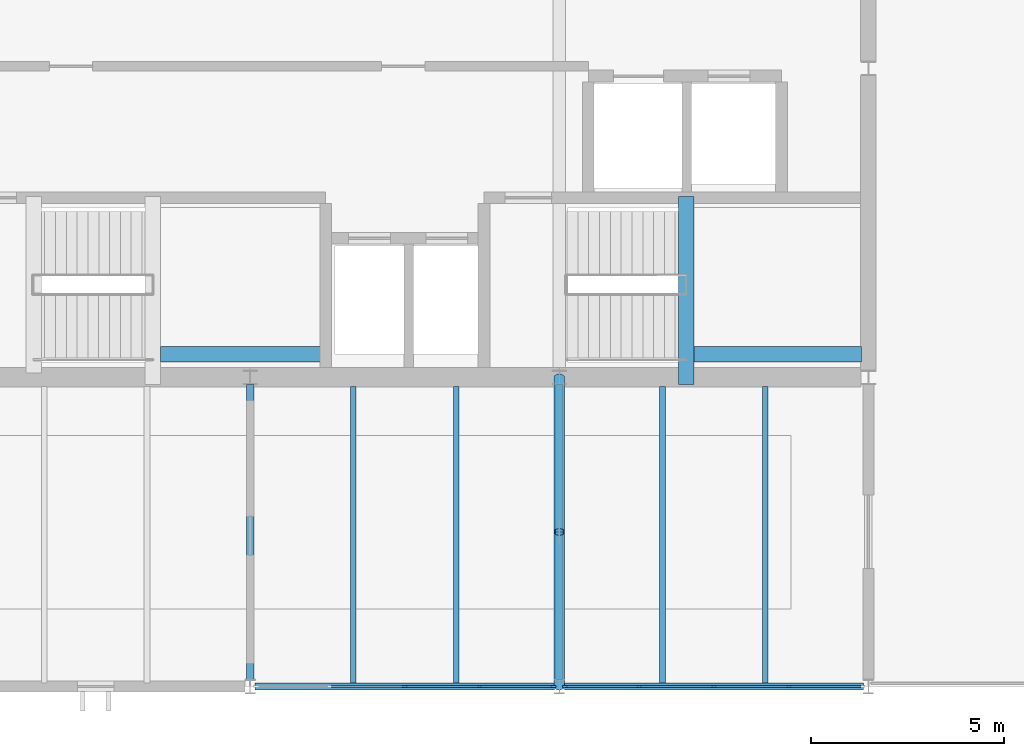
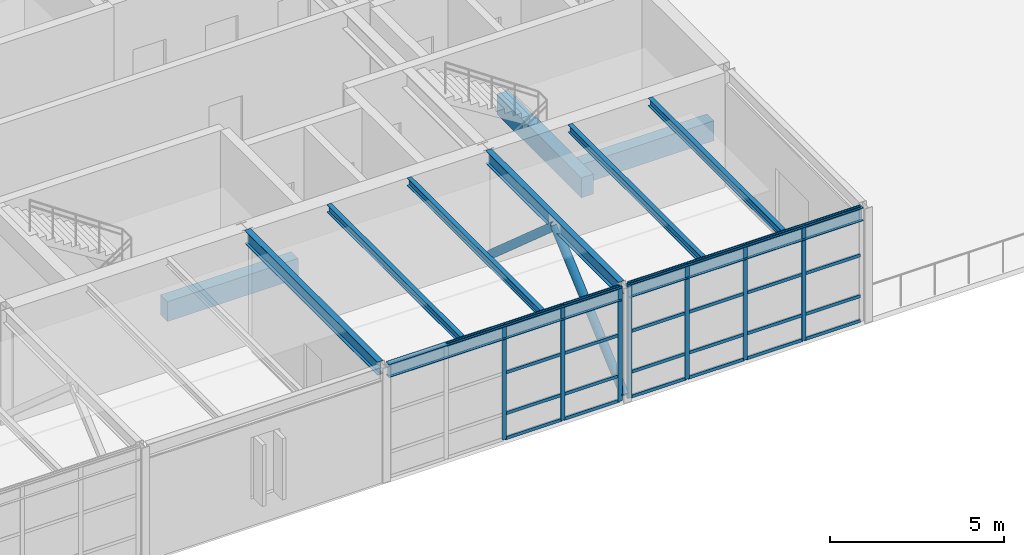
# One storey, part 6 of 21: 34 members, 11 beams, 2 elements without a shape of their own.
"""IFC4 building model written with IfcOpenShell, lengths in metres."""

from ifc_helpers import new_model, si_unit, direction, frame, origin, origin_2d, place, context, subcontext, project, spatial, rectangle, hollow_circle, i_section, extrude, material, layer, layer_set, material_profile, profile_set, type_object, element, aggregate, save


model = new_model("IFC4")

# Units and contexts
model_context = context("Model", 3, precision=1e-05, world=origin(), true_north=direction((0.0, 1.0)))
body_context = subcontext(model_context, "Body", "Model", "MODEL_VIEW")
ifc_project = project(units=[si_unit("LENGTHUNIT", "METRE"), si_unit("AREAUNIT", "SQUARE_METRE"), si_unit("VOLUMEUNIT", "CUBIC_METRE"), si_unit("PLANEANGLEUNIT", "RADIAN"), si_unit("MASSUNIT", "GRAM", prefix="KILO")], contexts=[model_context])

# Site, building, storey
site_placement = place(None, origin())
site = spatial("IfcSite", under=ifc_project, at=site_placement, CompositionType="ELEMENT")
building_placement = place(site_placement, origin())
building = spatial("IfcBuilding", under=site, at=building_placement, Name="Varnela Railside Interchange", CompositionType="ELEMENT")
storey_placement = place(building_placement, frame((0.0, 0.0, 23.800048828125)))
storey = spatial("IfcBuildingStorey", under=building, at=storey_placement, Name="L05", CompositionType="ELEMENT", Elevation=23.800048828125)

# Beams
ifc_material_1 = material(Name="Steel AR 350 (350 MPa)", Category="steel")
ifc_material_profile_1 = material_profile(ifc_material_1, i_section(OverallWidth=0.14794921875, OverallDepth=0.26611328125, WebThickness=0.007568359375, FlangeThickness=0.012939453125, at=origin_2d()), Name="W250x44.8")
ifc_profile_set_1 = profile_set([ifc_material_profile_1], Name="Steel AR 350 (350 MPa)")
beam_type_1 = type_object("IfcBeamType", Name="Composite Floor Joist J-05", PredefinedType="JOIST", material=ifc_profile_set_1)
for number, where, z_axis, x_axis, name in (
    (1, (22.669921875, 46.095947265625, 3.886962890625), (0.0, 1.0, 0.0), (-1.0, 0.0, 0.0), "Composite Floor Joist J-05 (L05) (BM-2562)"),
    (2, (25.330078125, 46.095947265625, 3.886962890625), (0.0, 1.0, 0.0), (-1.0, 0.0, 0.0), "Composite Floor Joist J-05 (L05) (BM-2563)"),
    (3, (30.669921875, 46.095947265625, 3.886962890625), (0.0, 1.0, 0.0), (-1.0, 0.0, 0.0), "Composite Floor Joist J-05 (L05) (BM-2570)"),
    (4, (33.330078125, 46.095947265625, 3.886962890625), (0.0, 1.0, 0.0), (-1.0, 0.0, 0.0), "Composite Floor Joist J-05 (L05) (BM-2571)"),
):
    element("IfcBeam", number, at=place(storey_placement, frame(where, z_axis=z_axis, x_axis=x_axis)), inside=storey, type_object=beam_type_1, Name=name, PredefinedType="JOIST", context=body_context, shape_type="SweptSolid", body=[
        extrude(i_section(OverallWidth=0.14794921875, OverallDepth=0.26611328125, WebThickness=0.007568359375, FlangeThickness=0.012939453125, at=origin_2d()), origin(), (0.0, 0.0, 1.0), 7.6640625),
    ])
ifc_material_2 = material(Name="Concrete C40", Category="concrete")
ifc_material_profile_2 = material_profile(ifc_material_2, rectangle(XDim=0.39990234375, YDim=0.699951171875, at=origin_2d()), Name="RC 400x700")
ifc_profile_set_2 = profile_set([ifc_material_profile_2], Name="Concrete C40")
beam_type_2 = type_object("IfcBeamType", Name="Concrete Tie Beam B-01", PredefinedType="BEAM", material=ifc_profile_set_2)
beam_1_placement = place(storey_placement, frame((17.679931640625, 54.60009765625, 1.58984375), z_axis=(1.0, 0.0, 0.0), x_axis=(0.0, 1.0, 0.0)))
element("IfcBeam", 5, at=beam_1_placement, inside=storey, type_object=beam_type_2, Name="Concrete Tie Beam B-01 (L05) (BM-2632)", PredefinedType="BEAM", context=body_context, shape_type="SweptSolid", body=[
    extrude(rectangle(XDim=0.39990234375, YDim=0.699951171875, at=origin_2d()), origin(), (0.0, 0.0, 1.0), 4.340087890625),
])
beam_2_placement = place(storey_placement, frame((31.280029296875, 53.820068359375, 1.58984375), z_axis=(0.0, 1.0, 0.0), x_axis=(-1.0, 0.0, 0.0)))
element("IfcBeam", 6, at=beam_2_placement, inside=storey, type_object=beam_type_2, Name="Concrete Tie Beam B-01 (L05) (BM-2636)", PredefinedType="BEAM", context=body_context, shape_type="SweptSolid", body=[
    extrude(rectangle(XDim=0.39990234375, YDim=0.699951171875, at=origin_2d()), origin(), (0.0, 0.0, 1.0), 4.85986328125),
])
beam_3_placement = place(storey_placement, frame((31.47998046875, 54.60009765625, 1.58984375), z_axis=(1.0, 0.0, 0.0), x_axis=(0.0, 1.0, 0.0)))
element("IfcBeam", 7, at=beam_3_placement, inside=storey, type_object=beam_type_2, Name="Concrete Tie Beam B-01 (L05) (BM-2633)", PredefinedType="BEAM", context=body_context, shape_type="SweptSolid", body=[
    extrude(rectangle(XDim=0.39990234375, YDim=0.699951171875, at=origin_2d()), origin(), (0.0, 0.0, 1.0), 4.340087890625),
])

# Curtain wall, members
ifc_material_3 = material(Name="Aluminium 6063-T6", Category="aluminium")
ifc_layer = layer(ifc_material_3, 0.035888671875)
ifc_layer_set = layer_set([ifc_layer], Name="Aluminium 6063-T6")
curtain_wall_type = type_object("IfcCurtainWallType", Name="Operations Wing Facade Curtain Wall CW-03", PredefinedType="USERDEFINED", material=ifc_layer_set)
curtain_wall_1_placement = place(storey_placement, origin())
curtain_wall_1 = element("IfcCurtainWall", 8, at=curtain_wall_1_placement, inside=storey, type_object=curtain_wall_type, Name="Curtain Wall CW-03 (L05) (CW-123)", ObjectType="CURTAIN WALL", PredefinedType="USERDEFINED")
ifc_material_profile_3 = material_profile(ifc_material_3, rectangle(XDim=0.06005859375, YDim=0.139892578125, at=origin_2d()), Name="ALU 60x140")
ifc_profile_set_3 = profile_set([ifc_material_profile_3], Name="Aluminium 6063-T6")
member_type_1 = type_object("IfcMemberType", Name="Curtain Wall Mullion ML-01", PredefinedType="MULLION", material=ifc_profile_set_3)
member_1_placement = place(storey_placement, frame((33.935791015625, 46.0, 0.0), z_axis=(0.0, 0.0, 1.0), x_axis=(0.0, -1.0, 0.0)))
member_1 = element("IfcMember", 9, at=member_1_placement, type_object=member_type_1, Name="CW-03 mullion 2", PredefinedType="MULLION", context=body_context, shape_type="SweptSolid", body=[
    extrude(rectangle(XDim=0.06005859375, YDim=0.139892578125, at=origin_2d()), origin(), (0.0, 0.0, 1.0), 4.02001953125),
])
member_2_placement = place(storey_placement, frame((32.0, 46.0, 0.0), z_axis=(0.0, 0.0, 1.0), x_axis=(0.0, -1.0, 0.0)))
member_2 = element("IfcMember", 10, at=member_2_placement, type_object=member_type_1, Name="CW-03 mullion 3", PredefinedType="MULLION", context=body_context, shape_type="SweptSolid", body=[
    extrude(rectangle(XDim=0.06005859375, YDim=0.139892578125, at=origin_2d()), origin(), (0.0, 0.0, 1.0), 4.02001953125),
])
member_3_placement = place(storey_placement, frame((30.064208984375, 46.0, 0.0), z_axis=(0.0, 0.0, 1.0), x_axis=(0.0, -1.0, 0.0)))
member_3 = element("IfcMember", 11, at=member_3_placement, type_object=member_type_1, Name="CW-03 mullion 4", PredefinedType="MULLION", context=body_context, shape_type="SweptSolid", body=[
    extrude(rectangle(XDim=0.06005859375, YDim=0.139892578125, at=origin_2d()), origin(), (0.0, 0.0, 1.0), 4.02001953125),
])
member_4_placement = place(storey_placement, frame((28.158447265625, 46.0, 0.0), z_axis=(0.0, 0.0, 1.0), x_axis=(0.0, -1.0, 0.0)))
member_4 = element("IfcMember", 12, at=member_4_placement, type_object=member_type_1, Name="CW-03 mullion 5", PredefinedType="MULLION", context=body_context, shape_type="SweptSolid", body=[
    extrude(rectangle(XDim=0.06005859375, YDim=0.139892578125, at=origin_2d()), origin(), (0.0, 0.0, 1.0), 4.02001953125),
])

curtain_wall_2_placement = place(storey_placement, origin())
curtain_wall_2 = element("IfcCurtainWall", 13, at=curtain_wall_2_placement, inside=storey, type_object=curtain_wall_type, Name="Curtain Wall CW-03 (L05) (CW-131)", ObjectType="CURTAIN WALL", PredefinedType="USERDEFINED")
member_5_placement = place(storey_placement, frame((27.841552734375, 46.0, 0.0), z_axis=(0.0, 0.0, 1.0), x_axis=(0.0, -1.0, 0.0)))
member_5 = element("IfcMember", 14, at=member_5_placement, type_object=member_type_1, Name="CW-03 mullion 1", PredefinedType="MULLION", context=body_context, shape_type="SweptSolid", body=[
    extrude(rectangle(XDim=0.06005859375, YDim=0.139892578125, at=origin_2d()), origin(), (0.0, 0.0, 1.0), 4.02001953125),
])
member_6_placement = place(storey_placement, frame((25.935791015625, 46.0, 0.0), z_axis=(0.0, 0.0, 1.0), x_axis=(0.0, -1.0, 0.0)))
member_6 = element("IfcMember", 15, at=member_6_placement, type_object=member_type_1, Name="CW-03 mullion 2", PredefinedType="MULLION", context=body_context, shape_type="SweptSolid", body=[
    extrude(rectangle(XDim=0.06005859375, YDim=0.139892578125, at=origin_2d()), origin(), (0.0, 0.0, 1.0), 4.02001953125),
])
member_7_placement = place(storey_placement, frame((24.0, 46.0, 0.0), z_axis=(0.0, 0.0, 1.0), x_axis=(0.0, -1.0, 0.0)))
member_7 = element("IfcMember", 16, at=member_7_placement, type_object=member_type_1, Name="CW-03 mullion 3", PredefinedType="MULLION", context=body_context, shape_type="SweptSolid", body=[
    extrude(rectangle(XDim=0.06005859375, YDim=0.139892578125, at=origin_2d()), origin(), (0.0, 0.0, 1.0), 4.02001953125),
])

# Member
ifc_material_profile_4 = material_profile(ifc_material_3, rectangle(XDim=0.06005859375, YDim=0.110107421875, at=origin_2d()), Name="ALU 60x110")
ifc_profile_set_4 = profile_set([ifc_material_profile_4], Name="Aluminium 6063-T6")
member_type_2 = type_object("IfcMemberType", Name="Curtain Wall Transom TR-01", PredefinedType="USERDEFINED", material=ifc_profile_set_4)
member_8_placement = place(storey_placement, frame((35.8115234375, 46.0, 0.030029296875), z_axis=(-1.0, 0.0, 0.0), x_axis=(0.0, -1.0, 0.0)))
member_8 = element("IfcMember", 17, at=member_8_placement, type_object=member_type_2, Name="CW-03 transom 1.1", ObjectType="TRANSOM", PredefinedType="USERDEFINED", context=body_context, shape_type="SweptSolid", body=[
    extrude(rectangle(XDim=0.06005859375, YDim=0.110107421875, at=origin_2d()), origin(), (0.0, 0.0, 1.0), 1.845703125),
])

member_9_placement = place(storey_placement, frame((35.8115234375, 46.0, 0.89990234375), z_axis=(-1.0, 0.0, 0.0), x_axis=(0.0, -1.0, 0.0)))
member_9 = element("IfcMember", 18, at=member_9_placement, type_object=member_type_2, Name="CW-03 transom 1.2", ObjectType="TRANSOM", PredefinedType="USERDEFINED", context=body_context, shape_type="SweptSolid", body=[
    extrude(rectangle(XDim=0.06005859375, YDim=0.110107421875, at=origin_2d()), origin(), (0.0, 0.0, 1.0), 1.845703125),
])

member_10_placement = place(storey_placement, frame((35.8115234375, 46.0, 2.33154296875), z_axis=(-1.0, 0.0, 0.0), x_axis=(0.0, -1.0, 0.0)))
member_10 = element("IfcMember", 19, at=member_10_placement, type_object=member_type_2, Name="CW-03 transom 1.3", ObjectType="TRANSOM", PredefinedType="USERDEFINED", context=body_context, shape_type="SweptSolid", body=[
    extrude(rectangle(XDim=0.06005859375, YDim=0.110107421875, at=origin_2d()), origin(), (0.0, 0.0, 1.0), 1.845703125),
])

member_11_placement = place(storey_placement, frame((35.8115234375, 46.0, 3.989990234375), z_axis=(-1.0, 0.0, 0.0), x_axis=(0.0, -1.0, 0.0)))
member_11 = element("IfcMember", 20, at=member_11_placement, type_object=member_type_2, Name="CW-03 transom 1.4", ObjectType="TRANSOM", PredefinedType="USERDEFINED", context=body_context, shape_type="SweptSolid", body=[
    extrude(rectangle(XDim=0.06005859375, YDim=0.110107421875, at=origin_2d()), origin(), (0.0, 0.0, 1.0), 1.845703125),
])

member_12_placement = place(storey_placement, frame((33.90576171875, 46.0, 0.030029296875), z_axis=(-1.0, 0.0, 0.0), x_axis=(0.0, -1.0, 0.0)))
member_12 = element("IfcMember", 21, at=member_12_placement, type_object=member_type_2, Name="CW-03 transom 2.1", ObjectType="TRANSOM", PredefinedType="USERDEFINED", context=body_context, shape_type="SweptSolid", body=[
    extrude(rectangle(XDim=0.06005859375, YDim=0.110107421875, at=origin_2d()), origin(), (0.0, 0.0, 1.0), 1.875732421875),
])

member_13_placement = place(storey_placement, frame((33.90576171875, 46.0, 0.89990234375), z_axis=(-1.0, 0.0, 0.0), x_axis=(0.0, -1.0, 0.0)))
member_13 = element("IfcMember", 22, at=member_13_placement, type_object=member_type_2, Name="CW-03 transom 2.2", ObjectType="TRANSOM", PredefinedType="USERDEFINED", context=body_context, shape_type="SweptSolid", body=[
    extrude(rectangle(XDim=0.06005859375, YDim=0.110107421875, at=origin_2d()), origin(), (0.0, 0.0, 1.0), 1.875732421875),
])

member_14_placement = place(storey_placement, frame((33.90576171875, 46.0, 2.33154296875), z_axis=(-1.0, 0.0, 0.0), x_axis=(0.0, -1.0, 0.0)))
member_14 = element("IfcMember", 23, at=member_14_placement, type_object=member_type_2, Name="CW-03 transom 2.3", ObjectType="TRANSOM", PredefinedType="USERDEFINED", context=body_context, shape_type="SweptSolid", body=[
    extrude(rectangle(XDim=0.06005859375, YDim=0.110107421875, at=origin_2d()), origin(), (0.0, 0.0, 1.0), 1.875732421875),
])

member_15_placement = place(storey_placement, frame((33.90576171875, 46.0, 3.989990234375), z_axis=(-1.0, 0.0, 0.0), x_axis=(0.0, -1.0, 0.0)))
member_15 = element("IfcMember", 24, at=member_15_placement, type_object=member_type_2, Name="CW-03 transom 2.4", ObjectType="TRANSOM", PredefinedType="USERDEFINED", context=body_context, shape_type="SweptSolid", body=[
    extrude(rectangle(XDim=0.06005859375, YDim=0.110107421875, at=origin_2d()), origin(), (0.0, 0.0, 1.0), 1.875732421875),
])

member_16_placement = place(storey_placement, frame((31.969970703125, 46.0, 0.030029296875), z_axis=(-1.0, 0.0, 0.0), x_axis=(0.0, -1.0, 0.0)))
member_16 = element("IfcMember", 25, at=member_16_placement, type_object=member_type_2, Name="CW-03 transom 3.1", ObjectType="TRANSOM", PredefinedType="USERDEFINED", context=body_context, shape_type="SweptSolid", body=[
    extrude(rectangle(XDim=0.06005859375, YDim=0.110107421875, at=origin_2d()), origin(), (0.0, 0.0, 1.0), 1.875732421875),
])

member_17_placement = place(storey_placement, frame((31.969970703125, 46.0, 0.89990234375), z_axis=(-1.0, 0.0, 0.0), x_axis=(0.0, -1.0, 0.0)))
member_17 = element("IfcMember", 26, at=member_17_placement, type_object=member_type_2, Name="CW-03 transom 3.2", ObjectType="TRANSOM", PredefinedType="USERDEFINED", context=body_context, shape_type="SweptSolid", body=[
    extrude(rectangle(XDim=0.06005859375, YDim=0.110107421875, at=origin_2d()), origin(), (0.0, 0.0, 1.0), 1.875732421875),
])

member_18_placement = place(storey_placement, frame((31.969970703125, 46.0, 2.33154296875), z_axis=(-1.0, 0.0, 0.0), x_axis=(0.0, -1.0, 0.0)))
member_18 = element("IfcMember", 27, at=member_18_placement, type_object=member_type_2, Name="CW-03 transom 3.3", ObjectType="TRANSOM", PredefinedType="USERDEFINED", context=body_context, shape_type="SweptSolid", body=[
    extrude(rectangle(XDim=0.06005859375, YDim=0.110107421875, at=origin_2d()), origin(), (0.0, 0.0, 1.0), 1.875732421875),
])

member_19_placement = place(storey_placement, frame((31.969970703125, 46.0, 3.989990234375), z_axis=(-1.0, 0.0, 0.0), x_axis=(0.0, -1.0, 0.0)))
member_19 = element("IfcMember", 28, at=member_19_placement, type_object=member_type_2, Name="CW-03 transom 3.4", ObjectType="TRANSOM", PredefinedType="USERDEFINED", context=body_context, shape_type="SweptSolid", body=[
    extrude(rectangle(XDim=0.06005859375, YDim=0.110107421875, at=origin_2d()), origin(), (0.0, 0.0, 1.0), 1.875732421875),
])

member_20_placement = place(storey_placement, frame((30.0341796875, 46.0, 0.030029296875), z_axis=(-1.0, 0.0, 0.0), x_axis=(0.0, -1.0, 0.0)))
member_20 = element("IfcMember", 29, at=member_20_placement, type_object=member_type_2, Name="CW-03 transom 4.1", ObjectType="TRANSOM", PredefinedType="USERDEFINED", context=body_context, shape_type="SweptSolid", body=[
    extrude(rectangle(XDim=0.06005859375, YDim=0.110107421875, at=origin_2d()), origin(), (0.0, 0.0, 1.0), 1.845703125),
])

member_21_placement = place(storey_placement, frame((30.0341796875, 46.0, 0.89990234375), z_axis=(-1.0, 0.0, 0.0), x_axis=(0.0, -1.0, 0.0)))
member_21 = element("IfcMember", 30, at=member_21_placement, type_object=member_type_2, Name="CW-03 transom 4.2", ObjectType="TRANSOM", PredefinedType="USERDEFINED", context=body_context, shape_type="SweptSolid", body=[
    extrude(rectangle(XDim=0.06005859375, YDim=0.110107421875, at=origin_2d()), origin(), (0.0, 0.0, 1.0), 1.845703125),
])

member_22_placement = place(storey_placement, frame((30.0341796875, 46.0, 2.33154296875), z_axis=(-1.0, 0.0, 0.0), x_axis=(0.0, -1.0, 0.0)))
member_22 = element("IfcMember", 31, at=member_22_placement, type_object=member_type_2, Name="CW-03 transom 4.3", ObjectType="TRANSOM", PredefinedType="USERDEFINED", context=body_context, shape_type="SweptSolid", body=[
    extrude(rectangle(XDim=0.06005859375, YDim=0.110107421875, at=origin_2d()), origin(), (0.0, 0.0, 1.0), 1.845703125),
])

member_23_placement = place(storey_placement, frame((30.0341796875, 46.0, 3.989990234375), z_axis=(-1.0, 0.0, 0.0), x_axis=(0.0, -1.0, 0.0)))
member_23 = element("IfcMember", 32, at=member_23_placement, type_object=member_type_2, Name="CW-03 transom 4.4", ObjectType="TRANSOM", PredefinedType="USERDEFINED", context=body_context, shape_type="SweptSolid", body=[
    extrude(rectangle(XDim=0.06005859375, YDim=0.110107421875, at=origin_2d()), origin(), (0.0, 0.0, 1.0), 1.845703125),
])

aggregate(curtain_wall_1, [member_1, member_2, member_3, member_4, member_8, member_9, member_10, member_11, member_12, member_13, member_14, member_15, member_16, member_17, member_18, member_19, member_20, member_21, member_22, member_23])

member_24_placement = place(storey_placement, frame((27.8115234375, 46.0, 0.030029296875), z_axis=(-1.0, 0.0, 0.0), x_axis=(0.0, -1.0, 0.0)))
member_24 = element("IfcMember", 33, at=member_24_placement, type_object=member_type_2, Name="CW-03 transom 1.1", ObjectType="TRANSOM", PredefinedType="USERDEFINED", context=body_context, shape_type="SweptSolid", body=[
    extrude(rectangle(XDim=0.06005859375, YDim=0.110107421875, at=origin_2d()), origin(), (0.0, 0.0, 1.0), 1.845703125),
])

member_25_placement = place(storey_placement, frame((27.8115234375, 46.0, 0.89990234375), z_axis=(-1.0, 0.0, 0.0), x_axis=(0.0, -1.0, 0.0)))
member_25 = element("IfcMember", 34, at=member_25_placement, type_object=member_type_2, Name="CW-03 transom 1.2", ObjectType="TRANSOM", PredefinedType="USERDEFINED", context=body_context, shape_type="SweptSolid", body=[
    extrude(rectangle(XDim=0.06005859375, YDim=0.110107421875, at=origin_2d()), origin(), (0.0, 0.0, 1.0), 1.845703125),
])

member_26_placement = place(storey_placement, frame((27.8115234375, 46.0, 2.33154296875), z_axis=(-1.0, 0.0, 0.0), x_axis=(0.0, -1.0, 0.0)))
member_26 = element("IfcMember", 35, at=member_26_placement, type_object=member_type_2, Name="CW-03 transom 1.3", ObjectType="TRANSOM", PredefinedType="USERDEFINED", context=body_context, shape_type="SweptSolid", body=[
    extrude(rectangle(XDim=0.06005859375, YDim=0.110107421875, at=origin_2d()), origin(), (0.0, 0.0, 1.0), 1.845703125),
])

member_27_placement = place(storey_placement, frame((27.8115234375, 46.0, 3.989990234375), z_axis=(-1.0, 0.0, 0.0), x_axis=(0.0, -1.0, 0.0)))
member_27 = element("IfcMember", 36, at=member_27_placement, type_object=member_type_2, Name="CW-03 transom 1.4", ObjectType="TRANSOM", PredefinedType="USERDEFINED", context=body_context, shape_type="SweptSolid", body=[
    extrude(rectangle(XDim=0.06005859375, YDim=0.110107421875, at=origin_2d()), origin(), (0.0, 0.0, 1.0), 1.845703125),
])

member_28_placement = place(storey_placement, frame((25.90576171875, 46.0, 0.030029296875), z_axis=(-1.0, 0.0, 0.0), x_axis=(0.0, -1.0, 0.0)))
member_28 = element("IfcMember", 37, at=member_28_placement, type_object=member_type_2, Name="CW-03 transom 2.1", ObjectType="TRANSOM", PredefinedType="USERDEFINED", context=body_context, shape_type="SweptSolid", body=[
    extrude(rectangle(XDim=0.06005859375, YDim=0.110107421875, at=origin_2d()), origin(), (0.0, 0.0, 1.0), 1.875732421875),
])

member_29_placement = place(storey_placement, frame((25.90576171875, 46.0, 0.89990234375), z_axis=(-1.0, 0.0, 0.0), x_axis=(0.0, -1.0, 0.0)))
member_29 = element("IfcMember", 38, at=member_29_placement, type_object=member_type_2, Name="CW-03 transom 2.2", ObjectType="TRANSOM", PredefinedType="USERDEFINED", context=body_context, shape_type="SweptSolid", body=[
    extrude(rectangle(XDim=0.06005859375, YDim=0.110107421875, at=origin_2d()), origin(), (0.0, 0.0, 1.0), 1.875732421875),
])

member_30_placement = place(storey_placement, frame((25.90576171875, 46.0, 2.33154296875), z_axis=(-1.0, 0.0, 0.0), x_axis=(0.0, -1.0, 0.0)))
member_30 = element("IfcMember", 39, at=member_30_placement, type_object=member_type_2, Name="CW-03 transom 2.3", ObjectType="TRANSOM", PredefinedType="USERDEFINED", context=body_context, shape_type="SweptSolid", body=[
    extrude(rectangle(XDim=0.06005859375, YDim=0.110107421875, at=origin_2d()), origin(), (0.0, 0.0, 1.0), 1.875732421875),
])

member_31_placement = place(storey_placement, frame((25.90576171875, 46.0, 3.989990234375), z_axis=(-1.0, 0.0, 0.0), x_axis=(0.0, -1.0, 0.0)))
member_31 = element("IfcMember", 40, at=member_31_placement, type_object=member_type_2, Name="CW-03 transom 2.4", ObjectType="TRANSOM", PredefinedType="USERDEFINED", context=body_context, shape_type="SweptSolid", body=[
    extrude(rectangle(XDim=0.06005859375, YDim=0.110107421875, at=origin_2d()), origin(), (0.0, 0.0, 1.0), 1.875732421875),
])

member_32_placement = place(storey_placement, frame((23.969970703125, 46.0, 3.989990234375), z_axis=(-1.0, 0.0, 0.0), x_axis=(0.0, -1.0, 0.0)))
member_32 = element("IfcMember", 41, at=member_32_placement, type_object=member_type_2, Name="CW-03 transom 3.4", ObjectType="TRANSOM", PredefinedType="USERDEFINED", context=body_context, shape_type="SweptSolid", body=[
    extrude(rectangle(XDim=0.06005859375, YDim=0.110107421875, at=origin_2d()), origin(), (0.0, 0.0, 1.0), 1.875732421875),
])

aggregate(curtain_wall_2, [member_5, member_6, member_7, member_24, member_25, member_26, member_27, member_28, member_29, member_30, member_31, member_32])

# Beams
ifc_material_profile_5 = material_profile(ifc_material_1, i_section(OverallWidth=0.19091796875, OverallDepth=0.4599609375, WebThickness=0.010009765625, FlangeThickness=0.01611328125, at=origin_2d()), Name="W460x82")
ifc_profile_set_5 = profile_set([ifc_material_profile_5], Name="Steel AR 350 (350 MPa)")
beam_type_3 = type_object("IfcBeamType", Name="Steel Perimeter Spandrel SP-01", PredefinedType="SPANDREL", material=ifc_profile_set_5)
for number, where, z_axis, x_axis, name in (
    (42, (20.12841796875, 46.0, 3.7900390625), (1.0, 0.0, 0.0), (0.0, 1.0, 0.0), "Steel Perimeter Spandrel SP-01 (L05) (BM-2577)"),
    (43, (28.12841796875, 46.0, 3.7900390625), (1.0, 0.0, 0.0), (0.0, 1.0, 0.0), "Steel Perimeter Spandrel SP-01 (L05) (BM-2578)"),
):
    element("IfcBeam", number, at=place(storey_placement, frame(where, z_axis=z_axis, x_axis=x_axis)), inside=storey, type_object=beam_type_3, Name=name, PredefinedType="SPANDREL", context=body_context, shape_type="SweptSolid", body=[
        extrude(i_section(OverallWidth=0.19091796875, OverallDepth=0.4599609375, WebThickness=0.010009765625, FlangeThickness=0.01611328125, at=origin_2d()), origin(), (0.0, 0.0, 1.0), 7.7431640625),
    ])
for number, where, z_axis, x_axis, name in (
    (44, (20.0, 46.181396484375, 3.7900390625), (0.0, 1.0, 0.0), (-1.0, 0.0, 0.0), "Steel Perimeter Spandrel SP-01 (L05) (BM-2613)"),
    (45, (28.0, 46.181396484375, 3.7900390625), (0.0, 1.0, 0.0), (-1.0, 0.0, 0.0), "Steel Perimeter Spandrel SP-01 (L05) (BM-2617)"),
):
    element("IfcBeam", number, at=place(storey_placement, frame(where, z_axis=z_axis, x_axis=x_axis)), inside=storey, type_object=beam_type_3, Name=name, PredefinedType="SPANDREL", context=body_context, shape_type="SweptSolid", body=[
        extrude(i_section(OverallWidth=0.19091796875, OverallDepth=0.4599609375, WebThickness=0.010009765625, FlangeThickness=0.01611328125, at=origin_2d()), origin(), (0.0, 0.0, 1.0), 7.638671875),
    ])

# Members
ifc_material_profile_6 = material_profile(ifc_material_1, hollow_circle(Radius=0.136474609375, WallThickness=0.01611328125, at=origin_2d()), Name="CHS 273x16")
ifc_profile_set_6 = profile_set([ifc_material_profile_6], Name="Steel AR 350 (350 MPa)")
member_type_3 = type_object("IfcMemberType", Name="Tubular Upper Brace BR-12", PredefinedType="BRACE", material=ifc_profile_set_6)
for number, where, z_axis, x_axis, name in (
    (46, (28.0, 46.0, 0.14990234375), (0.0, 0.750711699002, 0.660629960706), (-1.0, 0.0, 0.0), "Tubular Upper Brace BR-12 (L05) (MB-0178)"),
    (47, (28.0, 54.0, 0.14990234375), (0.0, -0.750711699002, 0.660629960706), (1.0, 0.0, 0.0), "Tubular Upper Brace BR-12 (L05) (MB-0179)"),
):
    element("IfcMember", number, at=place(storey_placement, frame(where, z_axis=z_axis, x_axis=x_axis)), inside=storey, type_object=member_type_3, Name=name, PredefinedType="BRACE", context=body_context, shape_type="SweptSolid", body=[
        extrude(hollow_circle(Radius=0.136474609375, WallThickness=0.01611328125, at=origin_2d()), origin(), (0.0, 0.0, 1.0), 5.328369140625),
    ])

save(model, "model.ifc")
